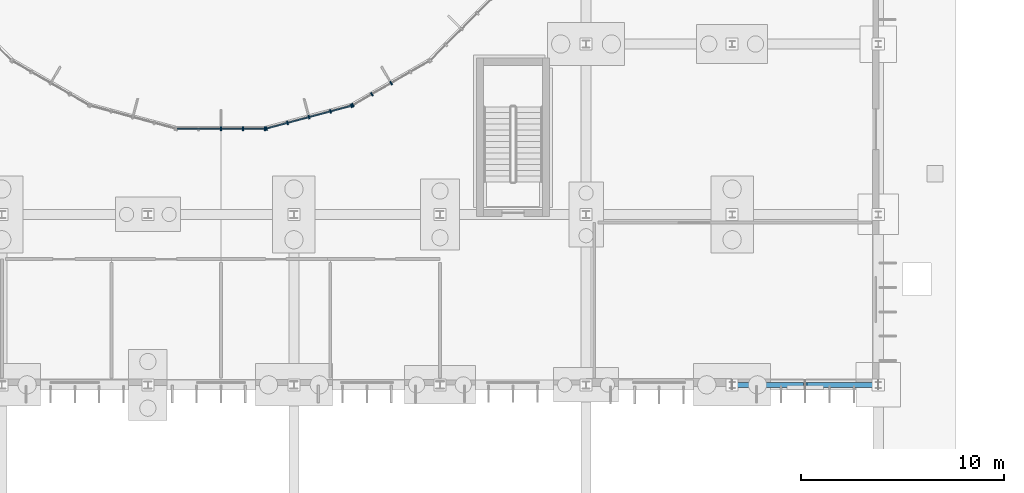
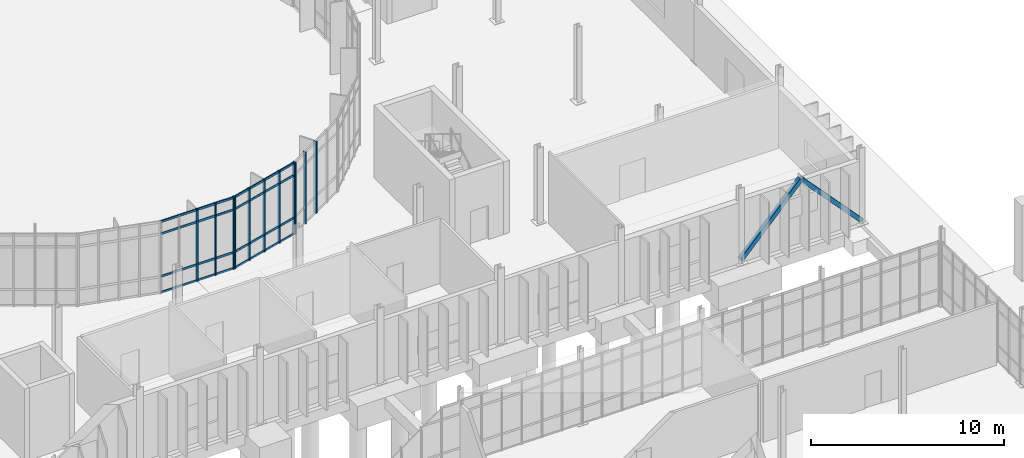
# One storey, part 50 of 118: 21 members, 3 elements without a shape of their own.
"""IFC4 building model written with IfcOpenShell, lengths in metres."""

from ifc_helpers import new_model, si_unit, direction, frame, origin, origin_2d, place, context, subcontext, project, spatial, rectangle, hollow_rectangle, extrude, material, material_profile, profile_set, type_object, element, aggregate, save


model = new_model("IFC4")

# Units and contexts
model_context = context("Model", 3, precision=1e-05, world=origin(), true_north=direction((0.0, 1.0)))
body_context = subcontext(model_context, "Body", "Model", "MODEL_VIEW")
ifc_project = project(units=[si_unit("LENGTHUNIT", "METRE"), si_unit("AREAUNIT", "SQUARE_METRE"), si_unit("VOLUMEUNIT", "CUBIC_METRE"), si_unit("PLANEANGLEUNIT", "RADIAN"), si_unit("MASSUNIT", "GRAM", prefix="KILO")], contexts=[model_context])

# Site, building, storey
site_placement = place(None, origin())
site = spatial("IfcSite", under=ifc_project, at=site_placement, CompositionType="ELEMENT")
building_placement = place(site_placement, origin())
building = spatial("IfcBuilding", under=site, at=building_placement, Name="Qelthora Terrace Specialist Clinic", CompositionType="ELEMENT")
storey_placement = place(building_placement, origin())
storey = spatial("IfcBuildingStorey", under=building, at=storey_placement, Name="L00", CompositionType="ELEMENT", Elevation=0.0)

# Curtain wall, members
ifc_material_1 = material(Name="Aluminium anodized bronze", Category="aluminium")
curtain_wall_type = type_object("IfcCurtainWallType", Name="CW-CRTE-L00", PredefinedType="NOTDEFINED", material=ifc_material_1)
curtain_wall_1_placement = place(storey_placement, origin())
curtain_wall_1 = element("IfcCurtainWall", 1, at=curtain_wall_1_placement, inside=storey, type_object=curtain_wall_type, Name="Curtain wall CW-CE-L00-18", PredefinedType="NOTDEFINED")
ifc_material_profile_1 = material_profile(ifc_material_1, rectangle(XDim=0.06494140625, YDim=0.179931640625, at=origin_2d()), Name="CWM65X180")
ifc_profile_set_1 = profile_set([ifc_material_profile_1], Name="Aluminium anodized bronze")
member_type_1 = type_object("IfcMemberType", Name="CWM-65X180", PredefinedType="MULLION", material=ifc_profile_set_1)
member_1_placement = place(storey_placement, frame((126.0, 46.2236328125, 0.0), z_axis=(0.0, 0.0, 1.0), x_axis=(1.0, 0.0, 0.0)))
member_1 = element("IfcMember", 2, at=member_1_placement, type_object=member_type_1, Name="CW-CE-L00-18 mullion 3", PredefinedType="MULLION", context=body_context, shape_type="SweptSolid", body=[
    extrude(rectangle(XDim=0.06494140625, YDim=0.179931640625, at=origin_2d()), origin(), (0.0, 0.0, 1.0), 4.544921875),
])
member_2_placement = place(storey_placement, frame((127.096435546875, 46.2236328125, 0.0), z_axis=(0.0, 0.0, 1.0), x_axis=(1.0, 0.0, 0.0)))
member_2 = element("IfcMember", 3, at=member_2_placement, type_object=member_type_1, Name="CW-CE-L00-18 mullion 4", PredefinedType="MULLION", context=body_context, shape_type="SweptSolid", body=[
    extrude(rectangle(XDim=0.06494140625, YDim=0.179931640625, at=origin_2d()), origin(), (0.0, 0.0, 1.0), 4.544921875),
])
member_3_placement = place(storey_placement, frame((128.1728515625, 46.2236328125, 0.0), z_axis=(0.0, 0.0, 1.0), x_axis=(1.0, 0.0, 0.0)))
member_3 = element("IfcMember", 4, at=member_3_placement, type_object=member_type_1, Name="CW-CE-L00-18 mullion 5", PredefinedType="MULLION", context=body_context, shape_type="SweptSolid", body=[
    extrude(rectangle(XDim=0.06494140625, YDim=0.179931640625, at=origin_2d()), origin(), (0.0, 0.0, 1.0), 4.544921875),
])

curtain_wall_2_placement = place(storey_placement, origin())
curtain_wall_2 = element("IfcCurtainWall", 5, at=curtain_wall_2_placement, inside=storey, type_object=curtain_wall_type, Name="Curtain wall CW-CE-L00-19", PredefinedType="NOTDEFINED")
member_4_placement = place(storey_placement, frame((128.2431640625, 46.23291015625, 0.0), z_axis=(0.0, 0.0, 1.0), x_axis=(0.965925660235, 0.258819664824, 0.0)))
member_4 = element("IfcMember", 6, at=member_4_placement, type_object=member_type_1, Name="CW-CE-L00-19 mullion 1", PredefinedType="MULLION", context=body_context, shape_type="SweptSolid", body=[
    extrude(rectangle(XDim=0.06494140625, YDim=0.179931640625, at=origin_2d()), origin(), (0.0, 0.0, 1.0), 4.544921875),
])
member_5_placement = place(storey_placement, frame((129.282958984375, 46.511474609375, 0.0), z_axis=(0.0, 0.0, 1.0), x_axis=(0.965925660235, 0.258819664824, 0.0)))
member_5 = element("IfcMember", 7, at=member_5_placement, type_object=member_type_1, Name="CW-CE-L00-19 mullion 2", PredefinedType="MULLION", context=body_context, shape_type="SweptSolid", body=[
    extrude(rectangle(XDim=0.06494140625, YDim=0.179931640625, at=origin_2d()), origin(), (0.0, 0.0, 1.0), 4.544921875),
])
member_6_placement = place(storey_placement, frame((130.342041015625, 46.79541015625, 0.0), z_axis=(0.0, 0.0, 1.0), x_axis=(0.965925660235, 0.258819664824, 0.0)))
member_6 = element("IfcMember", 8, at=member_6_placement, type_object=member_type_1, Name="CW-CE-L00-19 mullion 3", PredefinedType="MULLION", context=body_context, shape_type="SweptSolid", body=[
    extrude(rectangle(XDim=0.06494140625, YDim=0.179931640625, at=origin_2d()), origin(), (0.0, 0.0, 1.0), 4.544921875),
])
member_7_placement = place(storey_placement, frame((131.401123046875, 47.0791015625, 0.0), z_axis=(0.0, 0.0, 1.0), x_axis=(0.965925660235, 0.258819664824, 0.0)))
member_7 = element("IfcMember", 9, at=member_7_placement, type_object=member_type_1, Name="CW-CE-L00-19 mullion 4", PredefinedType="MULLION", context=body_context, shape_type="SweptSolid", body=[
    extrude(rectangle(XDim=0.06494140625, YDim=0.179931640625, at=origin_2d()), origin(), (0.0, 0.0, 1.0), 4.544921875),
])
member_8_placement = place(storey_placement, frame((132.44091796875, 47.357666015625, 0.0), z_axis=(0.0, 0.0, 1.0), x_axis=(0.965925660235, 0.258819664824, 0.0)))
member_8 = element("IfcMember", 10, at=member_8_placement, type_object=member_type_1, Name="CW-CE-L00-19 mullion 5", PredefinedType="MULLION", context=body_context, shape_type="SweptSolid", body=[
    extrude(rectangle(XDim=0.06494140625, YDim=0.179931640625, at=origin_2d()), origin(), (0.0, 0.0, 1.0), 4.544921875),
])

curtain_wall_3_placement = place(storey_placement, origin())
curtain_wall_3 = element("IfcCurtainWall", 11, at=curtain_wall_3_placement, inside=storey, type_object=curtain_wall_type, Name="Curtain wall CW-CE-L00-20", PredefinedType="NOTDEFINED")
member_9_placement = place(storey_placement, frame((132.50634765625, 47.385009765625, 0.0), z_axis=(0.0, 0.0, 1.0), x_axis=(0.86602538709, 0.500000028915, 0.0)))
member_9 = element("IfcMember", 12, at=member_9_placement, type_object=member_type_1, Name="CW-CE-L00-20 mullion 1", PredefinedType="MULLION", context=body_context, shape_type="SweptSolid", body=[
    extrude(rectangle(XDim=0.06494140625, YDim=0.179931640625, at=origin_2d()), origin(), (0.0, 0.0, 1.0), 4.544921875),
])
member_10_placement = place(storey_placement, frame((133.438720703125, 47.923095703125, 0.0), z_axis=(0.0, 0.0, 1.0), x_axis=(0.86602538709, 0.500000028915, 0.0)))
member_10 = element("IfcMember", 13, at=member_10_placement, type_object=member_type_1, Name="CW-CE-L00-20 mullion 2", PredefinedType="MULLION", context=body_context, shape_type="SweptSolid", body=[
    extrude(rectangle(XDim=0.06494140625, YDim=0.179931640625, at=origin_2d()), origin(), (0.0, 0.0, 1.0), 4.544921875),
])
member_11_placement = place(storey_placement, frame((134.38818359375, 48.471435546875, 0.0), z_axis=(0.0, 0.0, 1.0), x_axis=(0.86602538709, 0.500000028915, 0.0)))
member_11 = element("IfcMember", 14, at=member_11_placement, type_object=member_type_1, Name="CW-CE-L00-20 mullion 3", PredefinedType="MULLION", context=body_context, shape_type="SweptSolid", body=[
    extrude(rectangle(XDim=0.06494140625, YDim=0.179931640625, at=origin_2d()), origin(), (0.0, 0.0, 1.0), 4.544921875),
])
aggregate(curtain_wall_3, [member_9, member_10, member_11])

# Member
ifc_material_profile_2 = material_profile(ifc_material_1, rectangle(XDim=0.06494140625, YDim=0.1298828125, at=origin_2d()), Name="CWT65X130")
ifc_profile_set_2 = profile_set([ifc_material_profile_2], Name="Aluminium anodized bronze")
member_type_2 = type_object("IfcMemberType", Name="CWT-65X130", PredefinedType="USERDEFINED", material=ifc_profile_set_2)
member_12_placement = place(storey_placement, frame((123.84716796875, 46.2236328125, 0.0400390625), z_axis=(1.0, 0.0, 0.0), x_axis=(0.0, 1.0, 0.0)))
member_12 = element("IfcMember", 15, at=member_12_placement, type_object=member_type_2, Name="CW-CE-L00-18 transom 1", ObjectType="TRANSOM", PredefinedType="USERDEFINED", context=body_context, shape_type="SweptSolid", body=[
    extrude(rectangle(XDim=0.06494140625, YDim=0.1298828125, at=origin_2d()), origin(), (0.0, 0.0, 1.0), 4.3056640625),
])

member_13_placement = place(storey_placement, frame((123.84716796875, 46.2236328125, 1.050048828125), z_axis=(1.0, 0.0, 0.0), x_axis=(0.0, 1.0, 0.0)))
member_13 = element("IfcMember", 16, at=member_13_placement, type_object=member_type_2, Name="CW-CE-L00-18 transom 2", ObjectType="TRANSOM", PredefinedType="USERDEFINED", context=body_context, shape_type="SweptSolid", body=[
    extrude(rectangle(XDim=0.06494140625, YDim=0.1298828125, at=origin_2d()), origin(), (0.0, 0.0, 1.0), 4.3056640625),
])

member_14_placement = place(storey_placement, frame((123.84716796875, 46.2236328125, 3.7451171875), z_axis=(1.0, 0.0, 0.0), x_axis=(0.0, 1.0, 0.0)))
member_14 = element("IfcMember", 17, at=member_14_placement, type_object=member_type_2, Name="CW-CE-L00-18 transom 3", ObjectType="TRANSOM", PredefinedType="USERDEFINED", context=body_context, shape_type="SweptSolid", body=[
    extrude(rectangle(XDim=0.06494140625, YDim=0.1298828125, at=origin_2d()), origin(), (0.0, 0.0, 1.0), 4.3056640625),
])

member_15_placement = place(storey_placement, frame((123.84716796875, 46.2236328125, 4.5048828125), z_axis=(1.0, 0.0, 0.0), x_axis=(0.0, 1.0, 0.0)))
member_15 = element("IfcMember", 18, at=member_15_placement, type_object=member_type_2, Name="CW-CE-L00-18 transom 4", ObjectType="TRANSOM", PredefinedType="USERDEFINED", context=body_context, shape_type="SweptSolid", body=[
    extrude(rectangle(XDim=0.06494140625, YDim=0.1298828125, at=origin_2d()), origin(), (0.0, 0.0, 1.0), 4.3056640625),
])

aggregate(curtain_wall_1, [member_1, member_2, member_3, member_12, member_13, member_14, member_15])

member_16_placement = place(storey_placement, frame((128.262451171875, 46.23828125, 0.0400390625), z_axis=(0.965933119212, 0.25879182601, 0.0), x_axis=(-0.25879182601, 0.965933119212, 0.0)))
member_16 = element("IfcMember", 19, at=member_16_placement, type_object=member_type_2, Name="CW-CE-L00-19 transom 1", ObjectType="TRANSOM", PredefinedType="USERDEFINED", context=body_context, shape_type="SweptSolid", body=[
    extrude(rectangle(XDim=0.06494140625, YDim=0.1298828125, at=origin_2d()), origin(), (0.0, 0.0, 1.0), 4.3056640625),
])

member_17_placement = place(storey_placement, frame((128.262451171875, 46.23828125, 1.050048828125), z_axis=(0.965933119212, 0.25879182601, 0.0), x_axis=(-0.25879182601, 0.965933119212, 0.0)))
member_17 = element("IfcMember", 20, at=member_17_placement, type_object=member_type_2, Name="CW-CE-L00-19 transom 2", ObjectType="TRANSOM", PredefinedType="USERDEFINED", context=body_context, shape_type="SweptSolid", body=[
    extrude(rectangle(XDim=0.06494140625, YDim=0.1298828125, at=origin_2d()), origin(), (0.0, 0.0, 1.0), 4.3056640625),
])

member_18_placement = place(storey_placement, frame((128.262451171875, 46.23828125, 3.7451171875), z_axis=(0.965933119212, 0.25879182601, 0.0), x_axis=(-0.25879182601, 0.965933119212, 0.0)))
member_18 = element("IfcMember", 21, at=member_18_placement, type_object=member_type_2, Name="CW-CE-L00-19 transom 3", ObjectType="TRANSOM", PredefinedType="USERDEFINED", context=body_context, shape_type="SweptSolid", body=[
    extrude(rectangle(XDim=0.06494140625, YDim=0.1298828125, at=origin_2d()), origin(), (0.0, 0.0, 1.0), 4.3056640625),
])

member_19_placement = place(storey_placement, frame((128.262451171875, 46.23828125, 4.5048828125), z_axis=(0.965933119212, 0.25879182601, 0.0), x_axis=(-0.25879182601, 0.965933119212, 0.0)))
member_19 = element("IfcMember", 22, at=member_19_placement, type_object=member_type_2, Name="CW-CE-L00-19 transom 4", ObjectType="TRANSOM", PredefinedType="USERDEFINED", context=body_context, shape_type="SweptSolid", body=[
    extrude(rectangle(XDim=0.06494140625, YDim=0.1298828125, at=origin_2d()), origin(), (0.0, 0.0, 1.0), 4.3056640625),
])

aggregate(curtain_wall_2, [member_4, member_5, member_6, member_7, member_8, member_16, member_17, member_18, member_19])

# Members
ifc_material_2 = material(Name="Steel S355", Category="steel")
ifc_material_profile_3 = material_profile(ifc_material_2, hollow_rectangle(XDim=0.25, YDim=0.25, WallThickness=0.011962890625, at=origin_2d()), Name="HSS250X250X12")
ifc_profile_set_3 = profile_set([ifc_material_profile_3], Name="Steel S355")
member_type_3 = type_object("IfcMemberType", Name="MEM-BRACE-HSS250H", PredefinedType="BRACE", material=ifc_profile_set_3)
for number, where, z_axis, x_axis, name in (
    (23, (151.199951171875, 33.60009765625, 0.179931640625), (0.681102790765, 0.0, 0.732187809522), (0.0, 1.0, 0.0), "Concentric seismic chevron brace B3-L00A"),
    (24, (158.39990234375, 33.60009765625, 0.179931640625), (-0.681078027728, 0.0, 0.732210844051), (0.0, -1.0, 0.0), "Concentric seismic chevron brace B3-L00B"),
):
    element("IfcMember", number, at=place(storey_placement, frame(where, z_axis=z_axis, x_axis=x_axis)), inside=storey, type_object=member_type_3, Name=name, PredefinedType="BRACE", context=body_context, shape_type="SweptSolid", body=[
        extrude(hollow_rectangle(XDim=0.25, YDim=0.25, WallThickness=0.011962890625, at=origin_2d()), origin(), (0.0, 0.0, 1.0), 5.28564453125),
    ])

save(model, "model.ifc")
